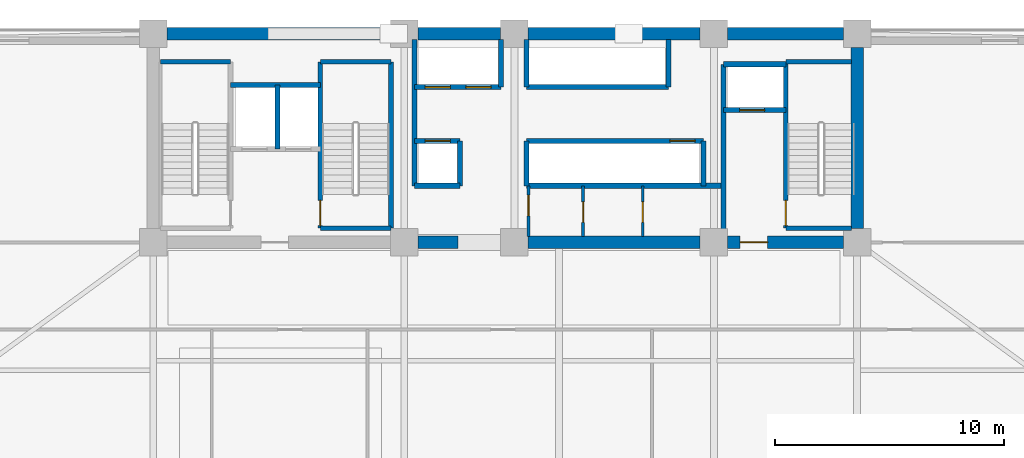
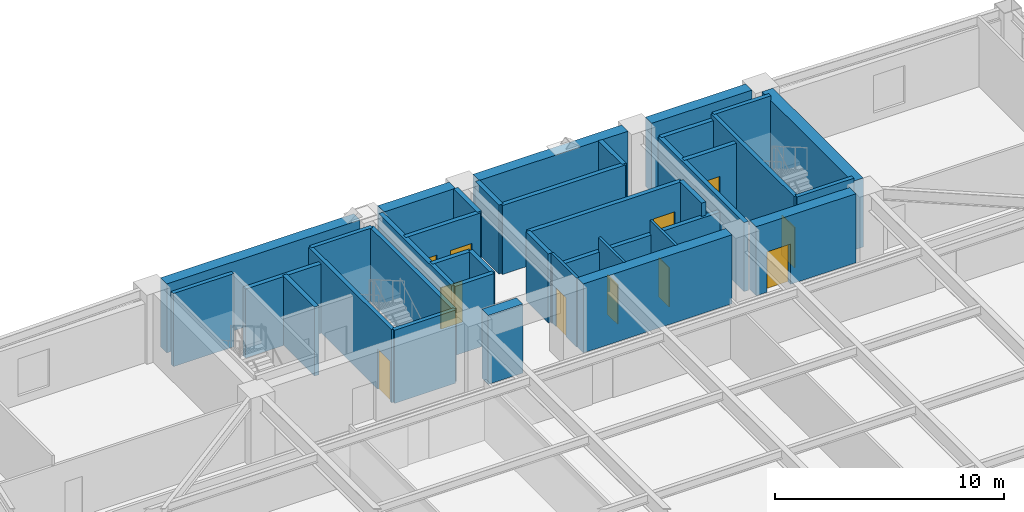
# One storey, part 9 of 15: 37 walls, 11 doors, 11 openings.
"""IFC4 building model written with IfcOpenShell, lengths in metres."""

from ifc_helpers import new_model, si_unit, direction, frame, frame_2d, origin, place, context, subcontext, project, spatial, rectangle, extrude, source, transform, mapped, material, layer, layer_set, type_object, element, fill, save


model = new_model("IFC4")

# Units and contexts
model_context = context("Model", 3, precision=1e-05, world=origin(), true_north=direction((0.0, 1.0)))
body_context = subcontext(model_context, "Body", "Model", "MODEL_VIEW")
ifc_project = project(units=[si_unit("LENGTHUNIT", "METRE"), si_unit("AREAUNIT", "SQUARE_METRE"), si_unit("VOLUMEUNIT", "CUBIC_METRE"), si_unit("PLANEANGLEUNIT", "RADIAN"), si_unit("MASSUNIT", "GRAM", prefix="KILO")], contexts=[model_context])

# Site, building, storey
site_placement = place(None, origin())
site = spatial("IfcSite", under=ifc_project, at=site_placement, CompositionType="ELEMENT")
building_placement = place(site_placement, origin())
building = spatial("IfcBuilding", under=site, at=building_placement, Name="Giltprow Tower", CompositionType="ELEMENT")
storey_placement = place(building_placement, frame((0.0, 0.0, 103.60009765625)))
storey = spatial("IfcBuildingStorey", under=building, at=storey_placement, Name="L25", CompositionType="ELEMENT", Elevation=103.60009765625)

# Walls
ifc_material_1 = material(Name="Concrete C40", Category="concrete")
ifc_layer_1 = layer(ifc_material_1, 0.219970703125, Name="Concrete C40")
ifc_layer_set_1 = layer_set([ifc_layer_1], Name="Concrete C40")
wall_type_1 = type_object("IfcWallType", Name="IW-SHAFT-220", PredefinedType="SOLIDWALL", material=ifc_layer_set_1)
wall_1_placement = place(storey_placement, frame((25.260009765625, 41.52001953125, 0.0), z_axis=(0.0, 0.0, 1.0), x_axis=(0.0, 1.0, 0.0)))
element("IfcWall", 1, at=wall_1_placement, inside=storey, type_object=wall_type_1, Name="L25 FFL1-SVL1 Shaft Divider", PredefinedType="SOLIDWALL", context=body_context, shape_type="SweptSolid", body=[
    extrude(rectangle(XDim=2.800048828125, YDim=0.219970703125, at=frame_2d((1.39990234375, 0.0))), origin(), (0.0, 0.0, 1.0), 3.679931640625),
])
wall_2_placement = place(storey_placement, frame((23.219970703125, 44.320068359375, 0.0), z_axis=(0.0, 0.0, 1.0), x_axis=(1.0, 0.0, 0.0)))
element("IfcWall", 2, at=wall_2_placement, inside=storey, type_object=wall_type_1, Name="L25 FFL1-SVL1 Back Shaft Wall", PredefinedType="SOLIDWALL", context=body_context, shape_type="SweptSolid", body=[
    extrude(rectangle(XDim=3.919921875, YDim=0.219970703125, at=frame_2d((1.9599609375, 0.0))), origin(), (0.0, 0.0, 1.0), 3.679931640625),
])

# Wall, opening, door
wall_3_placement = place(storey_placement, frame((44.719970703125, 43.219970703125, 0.0), z_axis=(0.0, 0.0, 1.0), x_axis=(1.0, 0.0, 0.0)))
wall_3 = element("IfcWall", 3, at=wall_3_placement, inside=storey, type_object=wall_type_1, Name="L25 FFL2 Front Shaft Wall", PredefinedType="SOLIDWALL", context=body_context, shape_type="SweptSolid", body=[
    extrude(rectangle(XDim=2.719970703125, YDim=0.219970703125, at=frame_2d((1.35986328125, 0.0))), origin(), (0.0, 0.0, 1.0), 3.679931640625),
])
opening_1_placement = place(wall_3_placement, frame((0.699951171875, 0.0, 0.0)))
opening_1 = element("IfcOpeningElement", 4, at=opening_1_placement, cuts=wall_3, Name="Opening LD-11", PredefinedType="OPENING", context=body_context, shape_type="SweptSolid", body=[
    extrude(rectangle(XDim=1.10009765625, YDim=2.199951171875, at=frame_2d((0.550048828125, 1.10009765625))), frame((0.0, 0.119873046875, 0.0), z_axis=(0.0, -1.0, 0.0), x_axis=(1.0, 0.0, 0.0)), (0.0, 0.0, 1.0), 0.239990234375),
])
ifc_material_2 = material(Name="Stainless steel", Category="steel")
door_type_1 = type_object("IfcDoorType", Name="DR-LIFT-LD1100", OperationType="SLIDING_TO_LEFT", PredefinedType="DOOR", material=ifc_material_2)
shared_shape_1 = source(origin(), body_context, "Body", "SweptSolid", [
    extrude(rectangle(XDim=1.10009765625, YDim=2.199951171875, at=frame_2d((0.550048828125, 1.10009765625))), frame((0.0, 0.02490234375, 0.0), z_axis=(0.0, -1.0, 0.0), x_axis=(1.0, 0.0, 0.0)), (0.0, 0.0, 1.0), 0.050048828125),
])
door_1_placement = place(opening_1_placement, origin())
door_1 = element("IfcDoor", 5, at=door_1_placement, inside=storey, type_object=door_type_1, Name="L25 FFL2 Landing Door", OperationType="SLIDING_TO_LEFT", OverallHeight=2.199951171875, OverallWidth=1.10009765625, PredefinedType="DOOR", context=body_context, shape_type="MappedRepresentation", body=[
    mapped(shared_shape_1, transform((0.0, 0.0, 0.0), x_axis=(1.0, 0.0, 0.0), y_axis=(0.0, 1.0, 0.0), z_axis=(0.0, 0.0, 1.0), scale=1.0)),
])
fill(opening_1, door_1)

# Walls
wall_4_placement = place(storey_placement, frame((44.719970703125, 45.219970703125, 0.0), z_axis=(0.0, 0.0, 1.0), x_axis=(1.0, 0.0, 0.0)))
element("IfcWall", 6, at=wall_4_placement, inside=storey, type_object=wall_type_1, Name="L25 FFL2 Back Shaft Wall", PredefinedType="SOLIDWALL", context=body_context, shape_type="SweptSolid", body=[
    extrude(rectangle(XDim=2.719970703125, YDim=0.219970703125, at=frame_2d((1.35986328125, 0.0))), origin(), (0.0, 0.0, 1.0), 3.679931640625),
])
wall_5_placement = place(storey_placement, frame((44.719970703125, 37.705078125, 0.0), z_axis=(0.0, 0.0, 1.0), x_axis=(0.0, 1.0, 0.0)))
element("IfcWall", 7, at=wall_5_placement, inside=storey, type_object=wall_type_1, Name="L25 East Firefighting Lobby West Wall", PredefinedType="SOLIDWALL", context=body_context, shape_type="SweptSolid", body=[
    extrude(rectangle(XDim=7.514892578125, YDim=0.219970703125, at=frame_2d((3.75732421875, 0.0))), origin(), (0.0, 0.0, 1.0), 3.679931640625),
])

# Wall, openings, doors
wall_6_placement = place(storey_placement, frame((31.25, 44.219970703125, 0.0), z_axis=(0.0, 0.0, 1.0), x_axis=(1.0, 0.0, 0.0)))
wall_6 = element("IfcWall", 8, at=wall_6_placement, inside=storey, type_object=wall_type_1, Name="L25 North West Lift Shaft Front Wall", PredefinedType="SOLIDWALL", context=body_context, shape_type="SweptSolid", body=[
    extrude(rectangle(XDim=3.77001953125, YDim=0.219970703125, at=frame_2d((1.885009765625, 0.0))), origin(), (0.0, 0.0, 1.0), 3.679931640625),
])
opening_2_placement = place(wall_6_placement, frame((0.4599609375, 0.0, 0.0)))
opening_2 = element("IfcOpeningElement", 9, at=opening_2_placement, cuts=wall_6, Name="Opening LD-11", PredefinedType="OPENING", context=body_context, shape_type="SweptSolid", body=[
    extrude(rectangle(XDim=1.10009765625, YDim=2.199951171875, at=frame_2d((0.550048828125, 1.10009765625))), frame((0.0, 0.119873046875, 0.0), z_axis=(0.0, -1.0, 0.0), x_axis=(1.0, 0.0, 0.0)), (0.0, 0.0, 1.0), 0.239990234375),
])
opening_3_placement = place(wall_6_placement, frame((2.239990234375, 0.0, 0.0)))
opening_3 = element("IfcOpeningElement", 10, at=opening_3_placement, cuts=wall_6, Name="Opening LD-11", PredefinedType="OPENING", context=body_context, shape_type="SweptSolid", body=[
    extrude(rectangle(XDim=1.10009765625, YDim=2.199951171875, at=frame_2d((0.550048828125, 1.10009765625))), frame((0.0, 0.119873046875, 0.0), z_axis=(0.0, -1.0, 0.0), x_axis=(1.0, 0.0, 0.0)), (0.0, 0.0, 1.0), 0.239990234375),
])
door_2_placement = place(opening_2_placement, origin())
door_2 = element("IfcDoor", 11, at=door_2_placement, inside=storey, type_object=door_type_1, Name="L25 PL-L1 Landing Door", OperationType="SLIDING_TO_LEFT", OverallHeight=2.199951171875, OverallWidth=1.10009765625, PredefinedType="DOOR", context=body_context, shape_type="MappedRepresentation", body=[
    mapped(shared_shape_1, transform((0.0, 0.0, 0.0), x_axis=(1.0, 0.0, 0.0), y_axis=(0.0, 1.0, 0.0), z_axis=(0.0, 0.0, 1.0), scale=1.0)),
])
fill(opening_2, door_2)
door_3_placement = place(opening_3_placement, origin())
door_3 = element("IfcDoor", 12, at=door_3_placement, inside=storey, type_object=door_type_1, Name="L25 PL-L2 Landing Door", OperationType="SLIDING_TO_LEFT", OverallHeight=2.199951171875, OverallWidth=1.10009765625, PredefinedType="DOOR", context=body_context, shape_type="MappedRepresentation", body=[
    mapped(shared_shape_1, transform((0.0, 0.0, 0.0), x_axis=(1.0, 0.0, 0.0), y_axis=(0.0, 1.0, 0.0), z_axis=(0.0, 0.0, 1.0), scale=1.0)),
])
fill(opening_3, door_3)

# Walls
wall_7_placement = place(storey_placement, frame((36.1201171875, 44.219970703125, 0.0), z_axis=(0.0, 0.0, 1.0), x_axis=(1.0, 0.0, 0.0)))
element("IfcWall", 13, at=wall_7_placement, inside=storey, type_object=wall_type_1, Name="L25 North East Lift Shaft Front Wall", PredefinedType="SOLIDWALL", context=body_context, shape_type="SweptSolid", body=[
    extrude(rectangle(XDim=6.199951171875, YDim=0.219970703125, at=frame_2d((3.10009765625, 0.0))), origin(), (0.0, 0.0, 1.0), 3.679931640625),
])
for number, where, z_axis, x_axis, name in (
    (14, (35.02001953125, 44.219970703125, 0.0), (0.0, 0.0, 1.0), (0.0, 1.0, 0.0), "L25 North West Lift Shaft East Closure"),
    (15, (36.1201171875, 44.219970703125, 0.0), (0.0, 0.0, 1.0), (0.0, 1.0, 0.0), "L25 North East Lift Shaft West Closure"),
    (16, (42.320068359375, 44.219970703125, 0.0), (0.0, 0.0, 1.0), (0.0, 1.0, 0.0), "L25 North East Lift Shaft East Closure"),
):
    element("IfcWall", number, at=place(storey_placement, frame(where, z_axis=z_axis, x_axis=x_axis)), inside=storey, type_object=wall_type_1, Name=name, PredefinedType="SOLIDWALL", context=body_context, shape_type="SweptSolid", body=[
        extrude(rectangle(XDim=2.074951171875, YDim=0.219970703125, at=frame_2d((1.03759765625, 0.0))), origin(), (0.0, 0.0, 1.0), 3.679931640625),
    ])

# Wall, opening, door
wall_8_placement = place(storey_placement, frame((31.25, 41.8798828125, 0.0), z_axis=(0.0, 0.0, 1.0), x_axis=(1.0, 0.0, 0.0)))
wall_8 = element("IfcWall", 17, at=wall_8_placement, inside=storey, type_object=wall_type_1, Name="L25 South West Lift Shaft Front Wall", PredefinedType="SOLIDWALL", context=body_context, shape_type="SweptSolid", body=[
    extrude(rectangle(XDim=1.969970703125, YDim=0.219970703125, at=frame_2d((0.98486328125, 0.0))), origin(), (0.0, 0.0, 1.0), 3.679931640625),
])
opening_4_placement = place(wall_8_placement, frame((0.4599609375, 0.0, 0.0)))
opening_4 = element("IfcOpeningElement", 18, at=opening_4_placement, cuts=wall_8, Name="Opening LD-11", PredefinedType="OPENING", context=body_context, shape_type="SweptSolid", body=[
    extrude(rectangle(XDim=1.10009765625, YDim=2.199951171875, at=frame_2d((0.550048828125, 1.10009765625))), frame((0.0, 0.119873046875, 0.0), z_axis=(0.0, -1.0, 0.0), x_axis=(1.0, 0.0, 0.0)), (0.0, 0.0, 1.0), 0.239990234375),
])
door_4_placement = place(opening_4_placement, origin())
door_4 = element("IfcDoor", 19, at=door_4_placement, inside=storey, type_object=door_type_1, Name="L25 PL-L3 Landing Door", OperationType="SLIDING_TO_LEFT", OverallHeight=2.199951171875, OverallWidth=1.10009765625, PredefinedType="DOOR", context=body_context, shape_type="MappedRepresentation", body=[
    mapped(shared_shape_1, transform((0.0, 0.0, 0.0), x_axis=(1.0, 0.0, 0.0), y_axis=(0.0, 1.0, 0.0), z_axis=(0.0, 0.0, 1.0), scale=1.0)),
])
fill(opening_4, door_4)

wall_9_placement = place(storey_placement, frame((36.1201171875, 41.8798828125, 0.0), z_axis=(0.0, 0.0, 1.0), x_axis=(1.0, 0.0, 0.0)))
wall_9 = element("IfcWall", 20, at=wall_9_placement, inside=storey, type_object=wall_type_1, Name="L25 South East Lift Shaft Front Wall", PredefinedType="SOLIDWALL", context=body_context, shape_type="SweptSolid", body=[
    extrude(rectangle(XDim=7.72998046875, YDim=0.219970703125, at=frame_2d((3.864990234375, 0.0))), origin(), (0.0, 0.0, 1.0), 3.679931640625),
])
opening_5_placement = place(wall_9_placement, frame((6.260009765625, 0.0, 0.0)))
opening_5 = element("IfcOpeningElement", 21, at=opening_5_placement, cuts=wall_9, Name="Opening LD-11", PredefinedType="OPENING", context=body_context, shape_type="SweptSolid", body=[
    extrude(rectangle(XDim=1.10009765625, YDim=2.199951171875, at=frame_2d((0.550048828125, 1.10009765625))), frame((0.0, 0.119873046875, 0.0), z_axis=(0.0, -1.0, 0.0), x_axis=(1.0, 0.0, 0.0)), (0.0, 0.0, 1.0), 0.239990234375),
])
door_5_placement = place(opening_5_placement, origin())
door_5 = element("IfcDoor", 22, at=door_5_placement, inside=storey, type_object=door_type_1, Name="L25 PL-L4 Landing Door", OperationType="SLIDING_TO_LEFT", OverallHeight=2.199951171875, OverallWidth=1.10009765625, PredefinedType="DOOR", context=body_context, shape_type="MappedRepresentation", body=[
    mapped(shared_shape_1, transform((0.0, 0.0, 0.0), x_axis=(1.0, 0.0, 0.0), y_axis=(0.0, 1.0, 0.0), z_axis=(0.0, 0.0, 1.0), scale=1.0)),
])
fill(opening_5, door_5)

# Walls
wall_10_placement = place(storey_placement, frame((31.25, 39.919921875, 0.0), z_axis=(0.0, 0.0, 1.0), x_axis=(1.0, 0.0, 0.0)))
element("IfcWall", 23, at=wall_10_placement, inside=storey, type_object=wall_type_1, Name="L25 Low-Rise South Lift Back Wall", PredefinedType="SOLIDWALL", context=body_context, shape_type="SweptSolid", body=[
    extrude(rectangle(XDim=1.969970703125, YDim=0.219970703125, at=frame_2d((0.98486328125, 0.0))), origin(), (0.0, 0.0, 1.0), 3.679931640625),
])
wall_11_placement = place(storey_placement, frame((33.219970703125, 39.919921875, 0.0), z_axis=(0.0, 0.0, 1.0), x_axis=(0.0, 1.0, 0.0)))
element("IfcWall", 24, at=wall_11_placement, inside=storey, type_object=wall_type_1, Name="L25 Low-Rise South Lift East Closure", PredefinedType="SOLIDWALL", context=body_context, shape_type="SweptSolid", body=[
    extrude(rectangle(XDim=1.9599609375, YDim=0.219970703125, at=frame_2d((0.97998046875, 0.0))), origin(), (0.0, 0.0, 1.0), 3.679931640625),
])
wall_12_placement = place(storey_placement, frame((36.1201171875, 39.919921875, 0.0), z_axis=(0.0, 0.0, 1.0), x_axis=(1.0, 0.0, 0.0)))
element("IfcWall", 25, at=wall_12_placement, inside=storey, type_object=wall_type_1, Name="L25 Express South Shaft Back Wall", PredefinedType="SOLIDWALL", context=body_context, shape_type="SweptSolid", body=[
    extrude(rectangle(XDim=8.599853515625, YDim=0.219970703125, at=frame_2d((4.2998046875, 0.0))), origin(), (0.0, 0.0, 1.0), 2.96484375),
])
wall_13_placement = place(storey_placement, frame((36.1201171875, 39.919921875, 0.0), z_axis=(0.0, 0.0, 1.0), x_axis=(0.0, 1.0, 0.0)))
element("IfcWall", 26, at=wall_13_placement, inside=storey, type_object=wall_type_1, Name="L25 Express South Shaft West Closure", PredefinedType="SOLIDWALL", context=body_context, shape_type="SweptSolid", body=[
    extrude(rectangle(XDim=1.9599609375, YDim=0.219970703125, at=frame_2d((0.97998046875, 0.0))), origin(), (0.0, 0.0, 1.0), 3.679931640625),
])
wall_14_placement = place(storey_placement, frame((31.25, 39.919921875, 0.0), z_axis=(0.0, 0.0, 1.0), x_axis=(0.0, 1.0, 0.0)))
element("IfcWall", 27, at=wall_14_placement, inside=storey, type_object=wall_type_1, Name="L25 Lift Bank West Closure", PredefinedType="SOLIDWALL", context=body_context, shape_type="SweptSolid", body=[
    extrude(rectangle(XDim=6.375, YDim=0.219970703125, at=frame_2d((3.1875, 0.0))), origin(), (0.0, 0.0, 1.0), 3.679931640625),
])
wall_15_placement = place(storey_placement, frame((43.85009765625, 39.919921875, 0.0), z_axis=(0.0, 0.0, 1.0), x_axis=(0.0, 1.0, 0.0)))
element("IfcWall", 28, at=wall_15_placement, inside=storey, type_object=wall_type_1, Name="L25 Lift Bank South-East Closure", PredefinedType="SOLIDWALL", context=body_context, shape_type="SweptSolid", body=[
    extrude(rectangle(XDim=1.9599609375, YDim=0.219970703125, at=frame_2d((0.97998046875, 0.0))), origin(), (0.0, 0.0, 1.0), 3.679931640625),
])
ifc_layer_2 = layer(ifc_material_1, 0.199951171875, Name="Concrete C40")
ifc_layer_set_2 = layer_set([ifc_layer_2], Name="Concrete C40")
wall_type_2 = type_object("IfcWallType", Name="IW-STAIR-200", PredefinedType="SOLIDWALL", material=ifc_layer_set_2)
wall_16_placement = place(storey_placement, frame((20.169921875, 45.320068359375, 0.0), z_axis=(0.0, 0.0, 1.0), x_axis=(1.0, 0.0, 0.0)))
element("IfcWall", 29, at=wall_16_placement, inside=storey, type_object=wall_type_2, Name="L25 Stair ST-1 North Bearing Wall", PredefinedType="SOLIDWALL", context=body_context, shape_type="SweptSolid", body=[
    extrude(rectangle(XDim=3.050048828125, YDim=0.199951171875, at=frame_2d((1.52490234375, 0.0))), origin(), (0.0, 0.0, 1.0), 3.89990234375),
])

# Wall, opening, door
wall_17_placement = place(storey_placement, frame((27.139892578125, 38.070068359375, 0.0), z_axis=(0.0, 0.0, 1.0), x_axis=(0.0, 1.0, 0.0)))
wall_17 = element("IfcWall", 30, at=wall_17_placement, inside=storey, type_object=wall_type_2, Name="L25 Stair ST-2 West Bearing Wall", PredefinedType="SOLIDWALL", context=body_context, shape_type="SweptSolid", body=[
    extrude(rectangle(XDim=7.25, YDim=0.199951171875, at=frame_2d((3.625, 0.0))), origin(), (0.0, 0.0, 1.0), 3.89990234375),
])
opening_6_placement = place(wall_17_placement, frame((0.110107421875, 0.0, 0.0)))
opening_6 = element("IfcOpeningElement", 31, at=opening_6_placement, cuts=wall_17, Name="Opening ID33", PredefinedType="OPENING", context=body_context, shape_type="SweptSolid", body=[
    extrude(rectangle(XDim=1.10009765625, YDim=2.14990234375, at=frame_2d((0.550048828125, 1.074951171875))), frame((0.0, 0.10986328125, 0.0), z_axis=(0.0, -1.0, 0.0), x_axis=(1.0, 0.0, 0.0)), (0.0, 0.0, 1.0), 0.219970703125),
])
ifc_material_3 = material(Name="Steel fire leaf", Category="steel")
door_type_2 = type_object("IfcDoorType", Name="DR-STAIR-1100", OperationType="SINGLE_SWING_LEFT", PredefinedType="DOOR", material=ifc_material_3)
shared_shape_2 = source(origin(), body_context, "Body", "SweptSolid", [
    extrude(rectangle(XDim=1.10009765625, YDim=2.14990234375, at=frame_2d((0.550048828125, 1.074951171875))), frame((0.0, 0.02490234375, 0.0), z_axis=(0.0, -1.0, 0.0), x_axis=(1.0, 0.0, 0.0)), (0.0, 0.0, 1.0), 0.050048828125),
])
door_6_placement = place(opening_6_placement, origin())
door_6 = element("IfcDoor", 32, at=door_6_placement, inside=storey, type_object=door_type_2, Name="L25 Stair ST-2 Fire Door", OperationType="SINGLE_SWING_LEFT", OverallHeight=2.14990234375, OverallWidth=1.10009765625, PredefinedType="DOOR", context=body_context, shape_type="MappedRepresentation", body=[
    mapped(shared_shape_2, transform((0.0, 0.0, 0.0), x_axis=(1.0, 0.0, 0.0), y_axis=(0.0, 1.0, 0.0), z_axis=(0.0, 0.0, 1.0), scale=1.0)),
])
fill(opening_6, door_6)

# Walls
wall_18_placement = place(storey_placement, frame((30.219970703125, 38.070068359375, 0.0), z_axis=(0.0, 0.0, 1.0), x_axis=(0.0, 1.0, 0.0)))
element("IfcWall", 33, at=wall_18_placement, inside=storey, type_object=wall_type_2, Name="L25 Stair ST-2 East Bearing Wall", PredefinedType="SOLIDWALL", context=body_context, shape_type="SweptSolid", body=[
    extrude(rectangle(XDim=7.25, YDim=0.199951171875, at=frame_2d((3.625, 0.0))), origin(), (0.0, 0.0, 1.0), 3.89990234375),
])
for number, where, z_axis, x_axis, name in (
    (34, (27.139892578125, 45.320068359375, 0.0), (0.0, 0.0, 1.0), (1.0, 0.0, 0.0), "L25 Stair ST-2 North Bearing Wall"),
    (35, (27.139892578125, 38.070068359375, 0.0), (0.0, 0.0, 1.0), (1.0, 0.0, 0.0), "L25 Stair ST-2 South Bearing Wall"),
):
    element("IfcWall", number, at=place(storey_placement, frame(where, z_axis=z_axis, x_axis=x_axis)), inside=storey, type_object=wall_type_2, Name=name, PredefinedType="SOLIDWALL", context=body_context, shape_type="SweptSolid", body=[
        extrude(rectangle(XDim=3.080078125, YDim=0.199951171875, at=frame_2d((1.5400390625, 0.0))), origin(), (0.0, 0.0, 1.0), 3.89990234375),
    ])

# Wall, opening, door
wall_19_placement = place(storey_placement, frame((47.43994140625, 38.070068359375, 0.0), z_axis=(0.0, 0.0, 1.0), x_axis=(0.0, 1.0, 0.0)))
wall_19 = element("IfcWall", 36, at=wall_19_placement, inside=storey, type_object=wall_type_2, Name="L25 Stair ST-3 West Bearing Wall", PredefinedType="SOLIDWALL", context=body_context, shape_type="SweptSolid", body=[
    extrude(rectangle(XDim=7.25, YDim=0.199951171875, at=frame_2d((3.625, 0.0))), origin(), (0.0, 0.0, 1.0), 3.89990234375),
])
opening_7_placement = place(wall_19_placement, frame((0.110107421875, 0.0, 0.0)))
opening_7 = element("IfcOpeningElement", 37, at=opening_7_placement, cuts=wall_19, Name="Opening ID33", PredefinedType="OPENING", context=body_context, shape_type="SweptSolid", body=[
    extrude(rectangle(XDim=1.10009765625, YDim=2.14990234375, at=frame_2d((0.550048828125, 1.074951171875))), frame((0.0, 0.10986328125, 0.0), z_axis=(0.0, -1.0, 0.0), x_axis=(1.0, 0.0, 0.0)), (0.0, 0.0, 1.0), 0.219970703125),
])
door_7_placement = place(opening_7_placement, origin())
door_7 = element("IfcDoor", 38, at=door_7_placement, inside=storey, type_object=door_type_2, Name="L25 Stair ST-3 Fire Door", OperationType="SINGLE_SWING_RIGHT", OverallHeight=2.14990234375, OverallWidth=1.10009765625, PredefinedType="DOOR", context=body_context, shape_type="MappedRepresentation", body=[
    mapped(shared_shape_2, transform((0.0, 0.0, 0.0), x_axis=(1.0, 0.0, 0.0), y_axis=(0.0, 1.0, 0.0), z_axis=(0.0, 0.0, 1.0), scale=1.0)),
])
fill(opening_7, door_7)

# Walls
for number, where, z_axis, x_axis, name in (
    (39, (47.43994140625, 45.320068359375, 0.0), (0.0, 0.0, 1.0), (1.0, 0.0, 0.0), "L25 Stair ST-3 North Bearing Wall"),
    (40, (47.43994140625, 38.070068359375, 0.0), (0.0, 0.0, 1.0), (1.0, 0.0, 0.0), "L25 Stair ST-3 South Bearing Wall"),
):
    element("IfcWall", number, at=place(storey_placement, frame(where, z_axis=z_axis, x_axis=x_axis)), inside=storey, type_object=wall_type_2, Name=name, PredefinedType="SOLIDWALL", context=body_context, shape_type="SweptSolid", body=[
        extrude(rectangle(XDim=2.85498046875, YDim=0.199951171875, at=frame_2d((1.427490234375, 0.0))), origin(), (0.0, 0.0, 1.0), 3.89990234375),
    ])

# Wall, opening, door
ifc_material_4 = material(Name="Concrete C30", Category="concrete")
ifc_layer_3 = layer(ifc_material_4, 0.1298828125, Name="Concrete C30")
ifc_layer_set_3 = layer_set([ifc_layer_3], Name="Concrete C30")
wall_type_3 = type_object("IfcWallType", Name="IW-WET-130", PredefinedType="PARTITIONING", material=ifc_layer_set_3)
wall_20_placement = place(storey_placement, frame((36.219970703125, 37.705078125, 0.0), z_axis=(0.0, 0.0, 1.0), x_axis=(0.0, 1.0, 0.0)))
wall_20 = element("IfcWall", 41, at=wall_20_placement, inside=storey, type_object=wall_type_3, Name="L25 Core Suite West Wall", PredefinedType="PARTITIONING", context=body_context, shape_type="SweptSolid", body=[
    extrude(rectangle(XDim=2.21484375, YDim=0.1298828125, at=frame_2d((1.107421875, 0.0))), origin(), (0.0, 0.0, 1.0), 3.679931640625),
])
opening_8_placement = place(wall_20_placement, frame((0.905029296875, 0.0, 0.0)))
opening_8 = element("IfcOpeningElement", 42, at=opening_8_placement, cuts=wall_20, Name="Opening ID35", PredefinedType="OPENING", context=body_context, shape_type="SweptSolid", body=[
    extrude(rectangle(XDim=0.89990234375, YDim=2.10009765625, at=frame_2d((0.449951171875, 1.050048828125))), frame((0.0, 0.074951171875, 0.0), z_axis=(0.0, -1.0, 0.0), x_axis=(1.0, 0.0, 0.0)), (0.0, 0.0, 1.0), 0.14990234375),
])
door_type_3 = type_object("IfcDoorType", Name="DR-SHAFT-900", OperationType="SINGLE_SWING_LEFT", PredefinedType="DOOR", material=ifc_material_3)
shared_shape_3 = source(origin(), body_context, "Body", "SweptSolid", [
    extrude(rectangle(XDim=0.89990234375, YDim=2.10009765625, at=frame_2d((0.449951171875, 1.050048828125))), frame((0.0, 0.02490234375, 0.0), z_axis=(0.0, -1.0, 0.0), x_axis=(1.0, 0.0, 0.0)), (0.0, 0.0, 1.0), 0.050048828125),
])
door_8_placement = place(opening_8_placement, origin())
door_8 = element("IfcDoor", 43, at=door_8_placement, inside=storey, type_object=door_type_3, Name="L25 Core Washroom 1 Door", OperationType="SINGLE_SWING_RIGHT", OverallHeight=2.10009765625, OverallWidth=0.89990234375, PredefinedType="DOOR", context=body_context, shape_type="MappedRepresentation", body=[
    mapped(shared_shape_3, transform((0.0, 0.0, 0.0), x_axis=(1.0, 0.0, 0.0), y_axis=(0.0, 1.0, 0.0), z_axis=(0.0, 0.0, 1.0), scale=1.0)),
])
fill(opening_8, door_8)

wall_21_placement = place(storey_placement, frame((38.60009765625, 37.705078125, 0.0), z_axis=(0.0, 0.0, 1.0), x_axis=(0.0, 1.0, 0.0)))
wall_21 = element("IfcWall", 44, at=wall_21_placement, inside=storey, type_object=wall_type_3, Name="L25 Core Suite Divider 1", PredefinedType="PARTITIONING", context=body_context, shape_type="SweptSolid", body=[
    extrude(rectangle(XDim=2.21484375, YDim=0.1298828125, at=frame_2d((1.107421875, 0.0))), origin(), (0.0, 0.0, 1.0), 3.679931640625),
])
opening_9_placement = place(wall_21_placement, frame((0.614990234375, 0.0, 0.0)))
opening_9 = element("IfcOpeningElement", 45, at=opening_9_placement, cuts=wall_21, Name="Opening ID35", PredefinedType="OPENING", context=body_context, shape_type="SweptSolid", body=[
    extrude(rectangle(XDim=0.89990234375, YDim=2.10009765625, at=frame_2d((0.449951171875, 1.050048828125))), frame((0.0, 0.074951171875, 0.0), z_axis=(0.0, -1.0, 0.0), x_axis=(1.0, 0.0, 0.0)), (0.0, 0.0, 1.0), 0.14990234375),
])
door_9_placement = place(opening_9_placement, origin())
door_9 = element("IfcDoor", 46, at=door_9_placement, inside=storey, type_object=door_type_3, Name="L25 Core Stationery Room Door", OperationType="SINGLE_SWING_RIGHT", OverallHeight=2.10009765625, OverallWidth=0.89990234375, PredefinedType="DOOR", context=body_context, shape_type="MappedRepresentation", body=[
    mapped(shared_shape_3, transform((0.0, 0.0, 0.0), x_axis=(1.0, 0.0, 0.0), y_axis=(0.0, 1.0, 0.0), z_axis=(0.0, 0.0, 1.0), scale=1.0)),
])
fill(opening_9, door_9)

wall_22_placement = place(storey_placement, frame((41.199951171875, 37.705078125, 0.0), z_axis=(0.0, 0.0, 1.0), x_axis=(0.0, 1.0, 0.0)))
wall_22 = element("IfcWall", 47, at=wall_22_placement, inside=storey, type_object=wall_type_3, Name="L25 Core Suite Divider 2", PredefinedType="PARTITIONING", context=body_context, shape_type="SweptSolid", body=[
    extrude(rectangle(XDim=2.21484375, YDim=0.1298828125, at=frame_2d((1.107421875, 0.0))), origin(), (0.0, 0.0, 1.0), 3.679931640625),
])
opening_10_placement = place(wall_22_placement, frame((0.614990234375, 0.0, 0.0)))
opening_10 = element("IfcOpeningElement", 48, at=opening_10_placement, cuts=wall_22, Name="Opening ID35", PredefinedType="OPENING", context=body_context, shape_type="SweptSolid", body=[
    extrude(rectangle(XDim=0.89990234375, YDim=2.10009765625, at=frame_2d((0.449951171875, 1.050048828125))), frame((0.0, 0.074951171875, 0.0), z_axis=(0.0, -1.0, 0.0), x_axis=(1.0, 0.0, 0.0)), (0.0, 0.0, 1.0), 0.14990234375),
])
door_10_placement = place(opening_10_placement, origin())
door_10 = element("IfcDoor", 49, at=door_10_placement, inside=storey, type_object=door_type_3, Name="L25 Core Archive Room Door", OperationType="SINGLE_SWING_LEFT", OverallHeight=2.10009765625, OverallWidth=0.89990234375, PredefinedType="DOOR", context=body_context, shape_type="MappedRepresentation", body=[
    mapped(shared_shape_3, transform((0.0, 0.0, 0.0), x_axis=(1.0, 0.0, 0.0), y_axis=(0.0, 1.0, 0.0), z_axis=(0.0, 0.0, 1.0), scale=1.0)),
])
fill(opening_10, door_10)

# Walls
ifc_material_5 = material(Name="Concrete C60", Category="concrete")
ifc_layer_4 = layer(ifc_material_5, 0.550048828125, Name="Concrete C60")
ifc_layer_set_4 = layer_set([ifc_layer_4], Name="Concrete C60")
wall_type_4 = type_object("IfcWallType", Name="SW-EXT-550-C60", PredefinedType="SHEAR", material=ifc_layer_set_4)
wall_23_placement = place(storey_placement, frame((20.449951171875, 46.550048828125, 0.0), z_axis=(0.0, 0.0, 1.0), x_axis=(1.0, 0.0, 0.0)))
element("IfcWall", 50, at=wall_23_placement, inside=storey, type_object=wall_type_4, Name="L25 North Rear Core Shear Wall 1", PredefinedType="SHEAR", context=body_context, shape_type="SweptSolid", body=[
    extrude(rectangle(XDim=9.75, YDim=0.550048828125, at=frame_2d((4.875, 0.0))), origin(), (0.0, 0.0, 1.0), 3.679931640625),
])
wall_24_placement = place(storey_placement, frame((31.39990234375, 46.550048828125, 0.0), z_axis=(0.0, 0.0, 1.0), x_axis=(1.0, 0.0, 0.0)))
element("IfcWall", 51, at=wall_24_placement, inside=storey, type_object=wall_type_4, Name="L25 North Rear Core Shear Wall 2", PredefinedType="SHEAR", context=body_context, shape_type="SweptSolid", body=[
    extrude(rectangle(XDim=3.60009765625, YDim=0.550048828125, at=frame_2d((1.800048828125, 0.0))), origin(), (0.0, 0.0, 1.0), 3.679931640625),
])
wall_25_placement = place(storey_placement, frame((36.199951171875, 46.550048828125, 0.0), z_axis=(0.0, 0.0, 1.0), x_axis=(1.0, 0.0, 0.0)))
element("IfcWall", 52, at=wall_25_placement, inside=storey, type_object=wall_type_4, Name="L25 North Rear Core Shear Wall 3", PredefinedType="SHEAR", context=body_context, shape_type="SweptSolid", body=[
    extrude(rectangle(XDim=7.5, YDim=0.550048828125, at=frame_2d((3.75, 0.0))), origin(), (0.0, 0.0, 1.0), 3.679931640625),
])
wall_26_placement = place(storey_placement, frame((44.89990234375, 46.550048828125, 0.0), z_axis=(0.0, 0.0, 1.0), x_axis=(1.0, 0.0, 0.0)))
element("IfcWall", 53, at=wall_26_placement, inside=storey, type_object=wall_type_4, Name="L25 North Rear Core Shear Wall 4", PredefinedType="SHEAR", context=body_context, shape_type="SweptSolid", body=[
    extrude(rectangle(XDim=5.050048828125, YDim=0.550048828125, at=frame_2d((2.52490234375, 0.0))), origin(), (0.0, 0.0, 1.0), 3.679931640625),
])
ifc_layer_5 = layer(ifc_material_5, 0.550048828125, Name="Concrete C60")
ifc_layer_set_5 = layer_set([ifc_layer_5], Name="Concrete C60")
wall_type_5 = type_object("IfcWallType", Name="SW-INT-550-C60", PredefinedType="SHEAR", material=ifc_layer_set_5)
wall_27_placement = place(storey_placement, frame((31.39990234375, 37.449951171875, 0.0), z_axis=(0.0, 0.0, 1.0), x_axis=(1.0, 0.0, 0.0)))
element("IfcWall", 54, at=wall_27_placement, inside=storey, type_object=wall_type_5, Name="L25 South Rear Core Shear Wall Mid-West", PredefinedType="SHEAR", context=body_context, shape_type="SweptSolid", body=[
    extrude(rectangle(XDim=1.75, YDim=0.550048828125, at=frame_2d((0.875, 0.0))), origin(), (0.0, 0.0, 1.0), 3.679931640625),
])
wall_28_placement = place(storey_placement, frame((36.199951171875, 37.449951171875, 0.0), z_axis=(0.0, 0.0, 1.0), x_axis=(1.0, 0.0, 0.0)))
element("IfcWall", 55, at=wall_28_placement, inside=storey, type_object=wall_type_5, Name="L25 South Rear Core Shear Wall Mid-East", PredefinedType="SHEAR", context=body_context, shape_type="SweptSolid", body=[
    extrude(rectangle(XDim=7.5, YDim=0.550048828125, at=frame_2d((3.75, 0.0))), origin(), (0.0, 0.0, 1.0), 3.679931640625),
])

# Wall, opening, door
wall_29_placement = place(storey_placement, frame((44.89990234375, 37.449951171875, 0.0), z_axis=(0.0, 0.0, 1.0), x_axis=(1.0, 0.0, 0.0)))
wall_29 = element("IfcWall", 56, at=wall_29_placement, inside=storey, type_object=wall_type_5, Name="L25 South Rear Core Shear Wall East", PredefinedType="SHEAR", context=body_context, shape_type="SweptSolid", body=[
    extrude(rectangle(XDim=5.050048828125, YDim=0.550048828125, at=frame_2d((2.52490234375, 0.0))), origin(), (0.0, 0.0, 1.0), 3.679931640625),
])
opening_11_placement = place(wall_29_placement, frame((0.550048828125, 0.0, 0.0)))
opening_11 = element("IfcOpeningElement", 57, at=opening_11_placement, cuts=wall_29, Name="Opening ID19", PredefinedType="OPENING", context=body_context, shape_type="SweptSolid", body=[
    extrude(rectangle(XDim=1.199951171875, YDim=2.14990234375, at=frame_2d((0.60009765625, 1.074951171875))), frame((0.0, 0.284912109375, 0.0), z_axis=(0.0, -1.0, 0.0), x_axis=(1.0, 0.0, 0.0)), (0.0, 0.0, 1.0), 0.570068359375),
])
door_type_4 = type_object("IfcDoorType", Name="DR-FFLOBBY-1200", OperationType="SINGLE_SWING_RIGHT", PredefinedType="DOOR", material=ifc_material_3)
shared_shape_4 = source(origin(), body_context, "Body", "SweptSolid", [
    extrude(rectangle(XDim=1.199951171875, YDim=2.14990234375, at=frame_2d((0.60009765625, 1.074951171875))), frame((0.0, 0.02490234375, 0.0), z_axis=(0.0, -1.0, 0.0), x_axis=(1.0, 0.0, 0.0)), (0.0, 0.0, 1.0), 0.050048828125),
])
door_11_placement = place(opening_11_placement, origin())
door_11 = element("IfcDoor", 58, at=door_11_placement, inside=storey, type_object=door_type_4, Name="L25 East Firefighting Lobby Entry Door", OperationType="SINGLE_SWING_RIGHT", OverallHeight=2.14990234375, OverallWidth=1.199951171875, PredefinedType="DOOR", context=body_context, shape_type="MappedRepresentation", body=[
    mapped(shared_shape_4, transform((0.0, 0.0, 0.0), x_axis=(1.0, 0.0, 0.0), y_axis=(0.0, 1.0, 0.0), z_axis=(0.0, 0.0, 1.0), scale=1.0)),
])
fill(opening_11, door_11)

# Wall
wall_30_placement = place(storey_placement, frame((50.550048828125, 38.050048828125, 0.0), z_axis=(0.0, 0.0, 1.0), x_axis=(0.0, 1.0, 0.0)))
element("IfcWall", 59, at=wall_30_placement, inside=storey, type_object=wall_type_5, Name="L25 E Rear Core Shear Wall", PredefinedType="SHEAR", context=body_context, shape_type="SweptSolid", body=[
    extrude(rectangle(XDim=7.89990234375, YDim=0.550048828125, at=frame_2d((3.949951171875, 0.0))), origin(), (0.0, 0.0, 1.0), 3.679931640625),
])

save(model, "model.ifc")
